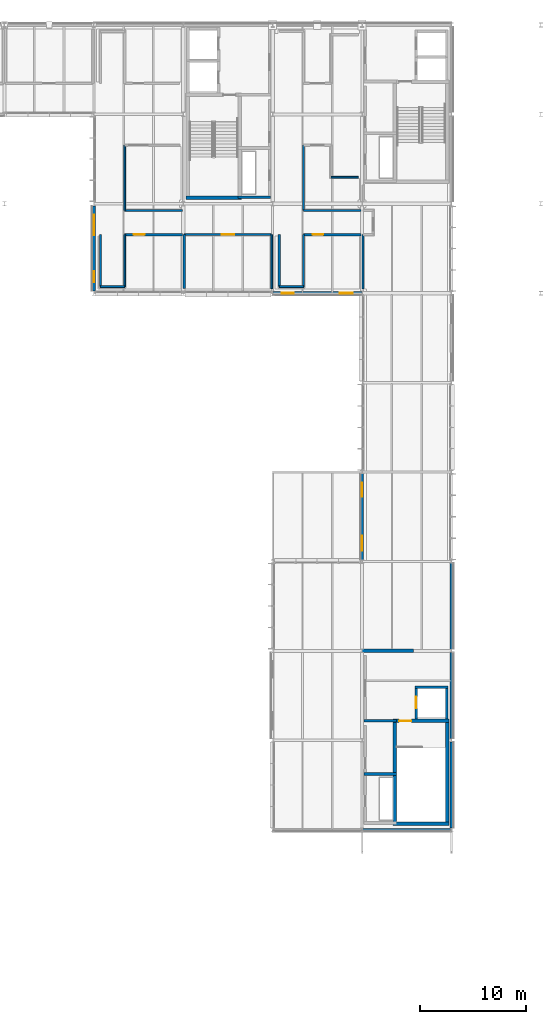
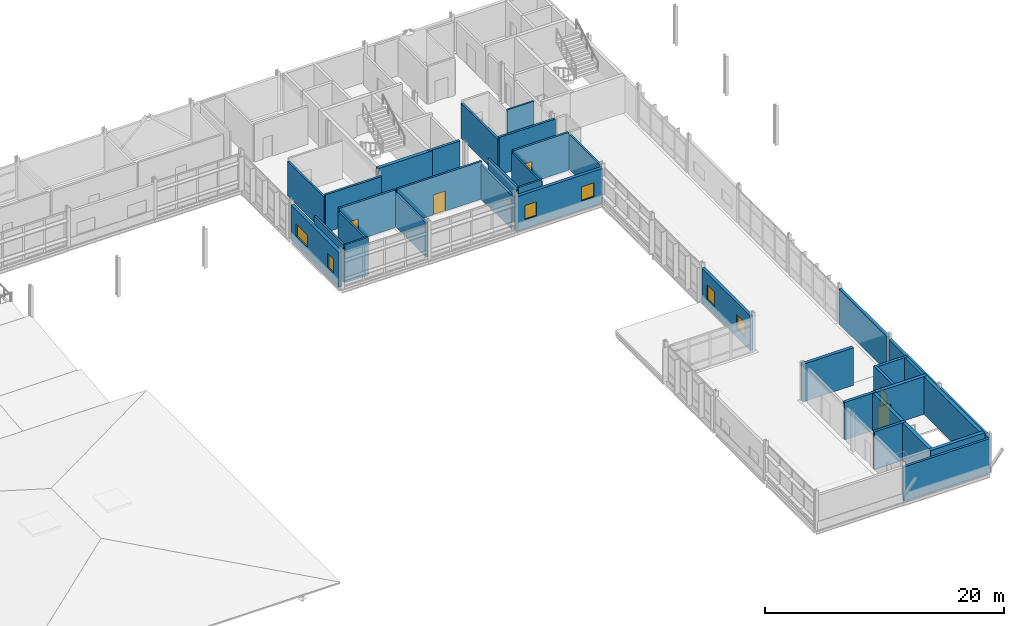
# One storey, part 54 of 66: 36 walls, 6 windows, 5 doors, 11 openings.
"""IFC4 building model written with IfcOpenShell, lengths in metres."""

from ifc_helpers import new_model, si_unit, direction, frame, frame_2d, origin, place, context, subcontext, project, spatial, rectangle, extrude, material, layer, layer_set, type_object, element, fill, save


model = new_model("IFC4")

# Units and contexts
model_context = context("Model", 3, precision=1e-05, world=origin(), true_north=direction((0.0, 1.0)))
body_context = subcontext(model_context, "Body", "Model", "MODEL_VIEW")
ifc_project = project(units=[si_unit("LENGTHUNIT", "METRE"), si_unit("AREAUNIT", "SQUARE_METRE"), si_unit("VOLUMEUNIT", "CUBIC_METRE"), si_unit("PLANEANGLEUNIT", "RADIAN"), si_unit("MASSUNIT", "GRAM", prefix="KILO")], contexts=[model_context])

# Site, building, storey
site_placement = place(None, origin())
site = spatial("IfcSite", under=ifc_project, at=site_placement, CompositionType="ELEMENT")
building_placement = place(site_placement, origin())
building = spatial("IfcBuilding", under=site, at=building_placement, Name="Mersafa Astral City Hall", CompositionType="ELEMENT")
storey_placement = place(building_placement, frame((0.0, 0.0, 22.050048828125)))
storey = spatial("IfcBuildingStorey", under=building, at=storey_placement, Name="L05", CompositionType="ELEMENT", Elevation=22.050048828125)

# Walls
ifc_material_1 = material(Name="Precast concrete C40/50 insulated terracotta spandrel", Category="masonry")
ifc_layer_1 = layer(ifc_material_1, 0.235107421875, Name="Precast concrete C40/50 insulated terracotta spandrel")
ifc_layer_set_1 = layer_set([ifc_layer_1], Name="Precast concrete C40/50 insulated terracotta spandrel — ENV-WAL-EXT-235")
wall_type_1 = type_object("IfcWallType", Name="ENV-WAL-EXT-235", PredefinedType="STANDARD", material=ifc_layer_set_1)
wall_1_placement = place(storey_placement, frame((168.008056640625, 50.39990234375, 0.0), z_axis=(0.0, 0.0, 1.0), x_axis=(1.0, 0.0, 0.0)))
element("IfcWall", 1, at=wall_1_placement, inside=storey, type_object=wall_type_1, Name="L05 Limestone-clad exterior wall 335", PredefinedType="STANDARD", context=body_context, shape_type="SweptSolid", body=[
    extrude(rectangle(XDim=8.384033203125, YDim=0.235107421875, at=frame_2d((4.19189453125, 0.0))), origin(), (0.0, 0.0, 1.0), 3.4970703125),
])
ifc_material_2 = material(Name="Precast concrete C40/50 insulated limestone wall", Category="masonry")
ifc_layer_2 = layer(ifc_material_2, 0.280029296875, Name="Precast concrete C40/50 insulated limestone wall")
ifc_layer_set_2 = layer_set([ifc_layer_2], Name="Precast concrete C40/50 insulated limestone wall — ENV-WAL-EXT-280")
wall_type_2 = type_object("IfcWallType", Name="ENV-WAL-EXT-280", PredefinedType="STANDARD", material=ifc_layer_set_2)
wall_2_placement = place(storey_placement, frame((176.39990234375, 67.345947265625, 0.0), z_axis=(0.0, 0.0, 1.0), x_axis=(0.0, 1.0, 0.0)))
element("IfcWall", 2, at=wall_2_placement, inside=storey, type_object=wall_type_2, Name="L05 Limestone-clad exterior wall 338", PredefinedType="STANDARD", context=body_context, shape_type="SweptSolid", body=[
    extrude(rectangle(XDim=8.108154296875, YDim=0.280029296875, at=frame_2d((4.05419921875, 0.0))), origin(), (0.0, 0.0, 1.0), 3.5869140625),
])

# Wall, openings, windows
wall_3_placement = place(storey_placement, frame((168.0, 83.85400390625, 0.0), z_axis=(0.0, 0.0, 1.0), x_axis=(0.0, -1.0, 0.0)))
wall_3 = element("IfcWall", 3, at=wall_3_placement, inside=storey, type_object=wall_type_2, Name="L05 Limestone-clad exterior wall 362", PredefinedType="STANDARD", context=body_context, shape_type="SweptSolid", body=[
    extrude(rectangle(XDim=8.10791015625, YDim=0.280029296875, at=frame_2d((4.053955078125, 0.0))), origin(), (0.0, 0.0, 1.0), 3.56201171875),
])
opening_1_placement = place(wall_3_placement, frame((0.85009765625, 0.0, 0.89990234375)))
opening_1 = element("IfcOpeningElement", 4, at=opening_1_placement, cuts=wall_3, Name="Opening W-24", PredefinedType="OPENING", context=body_context, shape_type="SweptSolid", body=[
    extrude(rectangle(XDim=1.320068359375, YDim=1.449951171875, at=frame_2d((0.66015625, 0.72509765625))), frame((0.0, 0.14990234375, 0.0), z_axis=(0.0, -1.0, 0.0), x_axis=(1.0, 0.0, 0.0)), (0.0, 0.0, 1.0), 0.300048828125),
])
opening_2_placement = place(wall_3_placement, frame((5.837890625, 0.0, 0.89990234375)))
opening_2 = element("IfcOpeningElement", 5, at=opening_2_placement, cuts=wall_3, Name="Opening W-25", PredefinedType="OPENING", context=body_context, shape_type="SweptSolid", body=[
    extrude(rectangle(XDim=1.419921875, YDim=1.449951171875, at=frame_2d((0.7099609375, 0.72509765625))), frame((0.0, 0.14990234375, 0.0), z_axis=(0.0, -1.0, 0.0), x_axis=(1.0, 0.0, 0.0)), (0.0, 0.0, 1.0), 0.300048828125),
])
ifc_material_3 = material(Name="Solar control low-e double glazing in bronze frame", Category="glass")
window_type_1 = type_object("IfcWindowType", Name="ENV-WIN-W-24", PartitioningType="SINGLE_PANEL", PredefinedType="WINDOW", material=ifc_material_3)
window_1_placement = place(opening_1_placement, origin())
window_1 = element("IfcWindow", 6, at=window_1_placement, inside=storey, type_object=window_type_1, Name="L05 Solar punched window 362-L", OverallHeight=1.449951171875, OverallWidth=1.320068359375, PartitioningType="SINGLE_PANEL", PredefinedType="WINDOW", context=body_context, shape_type="SweptSolid", body=[
    extrude(rectangle(XDim=1.320068359375, YDim=1.449951171875, at=frame_2d((0.66015625, 0.72509765625))), frame((0.0, 0.030029296875, 0.0), z_axis=(0.0, -1.0, 0.0), x_axis=(1.0, 0.0, 0.0)), (0.0, 0.0, 1.0), 0.06005859375),
])
fill(opening_1, window_1)
window_type_2 = type_object("IfcWindowType", Name="ENV-WIN-W-25", PartitioningType="SINGLE_PANEL", PredefinedType="WINDOW", material=ifc_material_3)
window_2_placement = place(opening_2_placement, origin())
window_2 = element("IfcWindow", 7, at=window_2_placement, inside=storey, type_object=window_type_2, Name="L05 Solar punched window 362-R", OverallHeight=1.449951171875, OverallWidth=1.419921875, PartitioningType="SINGLE_PANEL", PredefinedType="WINDOW", context=body_context, shape_type="SweptSolid", body=[
    extrude(rectangle(XDim=1.419921875, YDim=1.449951171875, at=frame_2d((0.7099609375, 0.72509765625))), frame((0.0, 0.030029296875, 0.0), z_axis=(0.0, -1.0, 0.0), x_axis=(1.0, 0.0, 0.0)), (0.0, 0.0, 1.0), 0.06005859375),
])
fill(opening_2, window_2)

# Wall
ifc_layer_3 = layer(ifc_material_2, 0.294921875, Name="Precast concrete C40/50 insulated limestone wall")
ifc_layer_set_3 = layer_set([ifc_layer_3], Name="Precast concrete C40/50 insulated limestone wall — ENV-WAL-EXT-295")
wall_type_3 = type_object("IfcWallType", Name="ENV-WAL-EXT-295", PredefinedType="STANDARD", material=ifc_layer_set_3)
wall_4_placement = place(storey_placement, frame((176.39990234375, 58.946044921875, 0.0), z_axis=(0.0, 0.0, 1.0), x_axis=(0.0, 1.0, 0.0)))
element("IfcWall", 8, at=wall_4_placement, inside=storey, type_object=wall_type_3, Name="L05 Limestone-clad exterior wall 337", PredefinedType="STANDARD", context=body_context, shape_type="SweptSolid", body=[
    extrude(rectangle(XDim=8.10791015625, YDim=0.294921875, at=frame_2d((4.053955078125, 0.0))), origin(), (0.0, 0.0, 1.0), 3.4970703125),
])

# Wall, openings, windows
wall_5_placement = place(storey_placement, frame((159.60791015625, 100.800048828125, 0.0), z_axis=(0.0, 0.0, 1.0), x_axis=(1.0, 0.0, 0.0)))
wall_5 = element("IfcWall", 9, at=wall_5_placement, inside=storey, type_object=wall_type_3, Name="L05 Limestone-clad exterior wall 361", PredefinedType="STANDARD", context=body_context, shape_type="SweptSolid", body=[
    extrude(rectangle(XDim=8.384033203125, YDim=0.294921875, at=frame_2d((4.19189453125, 0.0))), origin(), (0.0, 0.0, 1.0), 3.52685546875),
])
opening_3_placement = place(wall_5_placement, frame((0.85009765625, 0.0, 0.89990234375)))
opening_3 = element("IfcOpeningElement", 10, at=opening_3_placement, cuts=wall_5, Name="Opening W-22", PredefinedType="OPENING", context=body_context, shape_type="SweptSolid", body=[
    extrude(rectangle(XDim=1.1201171875, YDim=1.449951171875, at=frame_2d((0.56005859375, 0.72509765625))), frame((0.0, 0.157470703125, 0.0), z_axis=(0.0, -1.0, 0.0), x_axis=(1.0, 0.0, 0.0)), (0.0, 0.0, 1.0), 0.31494140625),
])
opening_4_placement = place(wall_5_placement, frame((6.31396484375, 0.0, 0.89990234375)))
opening_4 = element("IfcOpeningElement", 11, at=opening_4_placement, cuts=wall_5, Name="Opening W-23", PredefinedType="OPENING", context=body_context, shape_type="SweptSolid", body=[
    extrude(rectangle(XDim=1.219970703125, YDim=1.449951171875, at=frame_2d((0.60986328125, 0.72509765625))), frame((0.0, 0.157470703125, 0.0), z_axis=(0.0, -1.0, 0.0), x_axis=(1.0, 0.0, 0.0)), (0.0, 0.0, 1.0), 0.31494140625),
])
window_type_3 = type_object("IfcWindowType", Name="ENV-WIN-W-22", PartitioningType="SINGLE_PANEL", PredefinedType="WINDOW", material=ifc_material_3)
window_3_placement = place(opening_3_placement, origin())
window_3 = element("IfcWindow", 12, at=window_3_placement, inside=storey, type_object=window_type_3, Name="L05 Solar punched window 361-L", OverallHeight=1.449951171875, OverallWidth=1.1201171875, PartitioningType="SINGLE_PANEL", PredefinedType="WINDOW", context=body_context, shape_type="SweptSolid", body=[
    extrude(rectangle(XDim=1.1201171875, YDim=1.449951171875, at=frame_2d((0.56005859375, 0.72509765625))), frame((0.0, 0.030029296875, 0.0), z_axis=(0.0, -1.0, 0.0), x_axis=(1.0, 0.0, 0.0)), (0.0, 0.0, 1.0), 0.06005859375),
])
fill(opening_3, window_3)
window_type_4 = type_object("IfcWindowType", Name="ENV-WIN-W-23", PartitioningType="SINGLE_PANEL", PredefinedType="WINDOW", material=ifc_material_3)
window_4_placement = place(opening_4_placement, origin())
window_4 = element("IfcWindow", 13, at=window_4_placement, inside=storey, type_object=window_type_4, Name="L05 Solar punched window 361-R", OverallHeight=1.449951171875, OverallWidth=1.219970703125, PartitioningType="SINGLE_PANEL", PredefinedType="WINDOW", context=body_context, shape_type="SweptSolid", body=[
    extrude(rectangle(XDim=1.219970703125, YDim=1.449951171875, at=frame_2d((0.60986328125, 0.72509765625))), frame((0.0, 0.030029296875, 0.0), z_axis=(0.0, -1.0, 0.0), x_axis=(1.0, 0.0, 0.0)), (0.0, 0.0, 1.0), 0.06005859375),
])
fill(opening_4, window_4)

# Wall
ifc_layer_4 = layer(ifc_material_2, 0.31005859375, Name="Precast concrete C40/50 insulated limestone wall")
ifc_layer_set_4 = layer_set([ifc_layer_4], Name="Precast concrete C40/50 insulated limestone wall — ENV-WAL-EXT-310")
wall_type_4 = type_object("IfcWallType", Name="ENV-WAL-EXT-310", PredefinedType="STANDARD", material=ifc_layer_set_4)
wall_6_placement = place(storey_placement, frame((176.39990234375, 50.5458984375, 0.0), z_axis=(0.0, 0.0, 1.0), x_axis=(0.0, 1.0, 0.0)))
element("IfcWall", 14, at=wall_6_placement, inside=storey, type_object=wall_type_4, Name="L05 Limestone-clad exterior wall 336", PredefinedType="STANDARD", context=body_context, shape_type="SweptSolid", body=[
    extrude(rectangle(XDim=8.108154296875, YDim=0.31005859375, at=frame_2d((4.05419921875, 0.0))), origin(), (0.0, 0.0, 1.0), 3.5869140625),
])

# Wall, openings, windows
wall_7_placement = place(storey_placement, frame((142.800048828125, 109.00390625, 0.0), z_axis=(0.0, 0.0, 1.0), x_axis=(0.0, -1.0, 0.0)))
wall_7 = element("IfcWall", 15, at=wall_7_placement, inside=storey, type_object=wall_type_4, Name="L05 Limestone-clad exterior wall 360", PredefinedType="STANDARD", context=body_context, shape_type="SweptSolid", body=[
    extrude(rectangle(XDim=8.0078125, YDim=0.31005859375, at=frame_2d((4.00390625, 0.0))), origin(), (0.0, 0.0, 1.0), 3.5869140625),
])
opening_5_placement = place(wall_7_placement, frame((0.85009765625, 0.0, 0.89990234375)))
opening_5 = element("IfcOpeningElement", 16, at=opening_5_placement, cuts=wall_7, Name="Opening W-20", PredefinedType="OPENING", context=body_context, shape_type="SweptSolid", body=[
    extrude(rectangle(XDim=1.919921875, YDim=1.25, at=frame_2d((0.9599609375, 0.625))), frame((0.0, 0.1650390625, 0.0), z_axis=(0.0, -1.0, 0.0), x_axis=(1.0, 0.0, 0.0)), (0.0, 0.0, 1.0), 0.330078125),
])
opening_6_placement = place(wall_7_placement, frame((6.137939453125, 0.0, 0.89990234375)))
opening_6 = element("IfcOpeningElement", 17, at=opening_6_placement, cuts=wall_7, Name="Opening W-21", PredefinedType="OPENING", context=body_context, shape_type="SweptSolid", body=[
    extrude(rectangle(XDim=1.02001953125, YDim=1.449951171875, at=frame_2d((0.510009765625, 0.72509765625))), frame((0.0, 0.1650390625, 0.0), z_axis=(0.0, -1.0, 0.0), x_axis=(1.0, 0.0, 0.0)), (0.0, 0.0, 1.0), 0.330078125),
])
window_type_5 = type_object("IfcWindowType", Name="ENV-WIN-W-20", PartitioningType="SINGLE_PANEL", PredefinedType="WINDOW", material=ifc_material_3)
window_5_placement = place(opening_5_placement, origin())
window_5 = element("IfcWindow", 18, at=window_5_placement, inside=storey, type_object=window_type_5, Name="L05 Solar punched window 360-L", OverallHeight=1.25, OverallWidth=1.919921875, PartitioningType="SINGLE_PANEL", PredefinedType="WINDOW", context=body_context, shape_type="SweptSolid", body=[
    extrude(rectangle(XDim=1.919921875, YDim=1.25, at=frame_2d((0.9599609375, 0.625))), frame((0.0, 0.030029296875, 0.0), z_axis=(0.0, -1.0, 0.0), x_axis=(1.0, 0.0, 0.0)), (0.0, 0.0, 1.0), 0.06005859375),
])
fill(opening_5, window_5)
window_type_6 = type_object("IfcWindowType", Name="ENV-WIN-W-21", PartitioningType="SINGLE_PANEL", PredefinedType="WINDOW", material=ifc_material_3)
window_6_placement = place(opening_6_placement, origin())
window_6 = element("IfcWindow", 19, at=window_6_placement, inside=storey, type_object=window_type_6, Name="L05 Solar punched window 360-R", OverallHeight=1.449951171875, OverallWidth=1.02001953125, PartitioningType="SINGLE_PANEL", PredefinedType="WINDOW", context=body_context, shape_type="SweptSolid", body=[
    extrude(rectangle(XDim=1.02001953125, YDim=1.449951171875, at=frame_2d((0.510009765625, 0.72509765625))), frame((0.0, 0.030029296875, 0.0), z_axis=(0.0, -1.0, 0.0), x_axis=(1.0, 0.0, 0.0)), (0.0, 0.0, 1.0), 0.06005859375),
])
fill(opening_6, window_6)

# Walls
ifc_material_4 = material(Name="Concrete C40/50", Category="concrete")
ifc_layer_5 = layer(ifc_material_4, 0.260009765625, Name="Concrete C40/50")
ifc_layer_set_5 = layer_set([ifc_layer_5], Name="Concrete C40/50 — INT-WAL-CORE-260")
wall_type_5 = type_object("IfcWallType", Name="INT-WAL-CORE-260", PredefinedType="SHEAR", material=ifc_layer_set_5)
wall_8_placement = place(storey_placement, frame((156.364990234375, 109.820068359375, 0.0), z_axis=(0.0, 0.0, 1.0), x_axis=(1.0, 0.0, 0.0)))
element("IfcWall", 20, at=wall_8_placement, inside=storey, type_object=wall_type_5, Name="L05 Core K1 riser south wall", PredefinedType="SHEAR", context=body_context, shape_type="SweptSolid", body=[
    extrude(rectangle(XDim=3.034912109375, YDim=0.260009765625, at=frame_2d((1.517578125, 0.0))), origin(), (0.0, 0.0, 1.0), 3.849853515625),
])
wall_9_placement = place(storey_placement, frame((172.955078125, 63.784912109375, 0.0), z_axis=(0.0, 0.0, 1.0), x_axis=(1.0, 0.0, 0.0)))
element("IfcWall", 21, at=wall_9_placement, inside=storey, type_object=wall_type_5, Name="L05 Lift LF6 north shaft wall", PredefinedType="SHEAR", context=body_context, shape_type="SweptSolid", body=[
    extrude(rectangle(XDim=3.1298828125, YDim=0.260009765625, at=frame_2d((1.56494140625, 0.0))), origin(), (0.0, 0.0, 1.0), 3.849853515625),
])
wall_10_placement = place(storey_placement, frame((175.955078125, 60.797119140625, 0.0), z_axis=(0.0, 0.0, 1.0), x_axis=(0.0, 1.0, 0.0)))
element("IfcWall", 22, at=wall_10_placement, inside=storey, type_object=wall_type_5, Name="L05 Lift LF6 back shaft wall", PredefinedType="SHEAR", context=body_context, shape_type="SweptSolid", body=[
    extrude(rectangle(XDim=3.117919921875, YDim=0.260009765625, at=frame_2d((1.55908203125, 0.0))), origin(), (0.0, 0.0, 1.0), 3.849853515625),
])

# Wall, opening, door
wall_11_placement = place(storey_placement, frame((173.0849609375, 60.797119140625, 0.0), z_axis=(0.0, 0.0, 1.0), x_axis=(0.0, 1.0, 0.0)))
wall_11 = element("IfcWall", 23, at=wall_11_placement, inside=storey, type_object=wall_type_5, Name="L05 Lift LF6 front shaft wall", PredefinedType="SHEAR", context=body_context, shape_type="SweptSolid", body=[
    extrude(rectangle(XDim=3.117919921875, YDim=0.260009765625, at=frame_2d((1.55908203125, 0.0))), origin(), (0.0, 0.0, 1.0), 3.849853515625),
])
opening_7_placement = place(wall_11_placement, frame((1.009033203125, 0.0, 0.0)))
opening_7 = element("IfcOpeningElement", 24, at=opening_7_placement, cuts=wall_11, Name="Opening LD-1", PredefinedType="OPENING", context=body_context, shape_type="SweptSolid", body=[
    extrude(rectangle(XDim=1.10009765625, YDim=2.14990234375, at=frame_2d((0.550048828125, 1.074951171875))), frame((0.0, 0.139892578125, 0.0), z_axis=(0.0, -1.0, 0.0), x_axis=(1.0, 0.0, 0.0)), (0.0, 0.0, 1.0), 0.280029296875),
])
ifc_material_5 = material(Name="Stainless steel sliding lift landing door", Category="steel")
door_type_1 = type_object("IfcDoorType", Name="INT-DR-LIFT-LD1", OperationType="NOTDEFINED", PredefinedType="DOOR", material=ifc_material_5)
door_1_placement = place(opening_7_placement, origin())
door_1 = element("IfcDoor", 25, at=door_1_placement, inside=storey, type_object=door_type_1, Name="Elevator LF6 Sliding Landing Door L05", OperationType="DOUBLE_DOOR_SLIDING", OverallHeight=2.14990234375, OverallWidth=1.10009765625, PredefinedType="DOOR", context=body_context, shape_type="SweptSolid", body=[
    extrude(rectangle(XDim=1.10009765625, YDim=2.14990234375, at=frame_2d((0.550048828125, 1.074951171875))), frame((0.0, 0.02490234375, 0.0), z_axis=(0.0, -1.0, 0.0), x_axis=(1.0, 0.0, 0.0)), (0.0, 0.0, 1.0), 0.050048828125),
])
fill(opening_7, door_1)

# Walls
for number, where, z_axis, x_axis, name in (
    (26, (168.199951171875, 55.635009765625, 0.0), (0.0, 0.0, 1.0), (1.0, 0.0, 0.0), "L05 Core K4 riser-restroom divider wall"),
    (27, (168.199951171875, 60.635009765625, 0.0), (0.0, 0.0, 1.0), (1.0, 0.0, 0.0), "L05 Core K4 restroom-lobby divider wall"),
):
    element("IfcWall", number, at=place(storey_placement, frame(where, z_axis=z_axis, x_axis=x_axis)), inside=storey, type_object=wall_type_5, Name=name, PredefinedType="SHEAR", context=body_context, shape_type="SweptSolid", body=[
        extrude(rectangle(XDim=3.03515625, YDim=0.260009765625, at=frame_2d((1.517578125, 0.0))), origin(), (0.0, 0.0, 1.0), 3.849853515625),
    ])
ifc_layer_6 = layer(ifc_material_4, 0.300048828125, Name="Concrete C40/50")
ifc_layer_set_6 = layer_set([ifc_layer_6], Name="Concrete C40/50 — INT-WAL-CORE-300")
wall_type_6 = type_object("IfcWallType", Name="INT-WAL-CORE-300", PredefinedType="SHEAR", material=ifc_layer_set_6)
wall_12_placement = place(storey_placement, frame((167.97998046875, 67.2099609375, 0.0), z_axis=(0.0, 0.0, 1.0), x_axis=(1.0, 0.0, 0.0)))
element("IfcWall", 28, at=wall_12_placement, inside=storey, type_object=wall_type_6, Name="L05 Core K4 lobby north shear wall", PredefinedType="SHEAR", context=body_context, shape_type="SweptSolid", body=[
    extrude(rectangle(XDim=4.8701171875, YDim=0.300048828125, at=frame_2d((2.43505859375, 0.0))), origin(), (0.0, 0.0, 1.0), 3.849853515625),
])
ifc_layer_7 = layer(ifc_material_4, 0.340087890625, Name="Concrete C40/50")
ifc_layer_set_7 = layer_set([ifc_layer_7], Name="Concrete C40/50 — INT-WAL-CORE-340")
wall_type_7 = type_object("IfcWallType", Name="INT-WAL-CORE-340", PredefinedType="SHEAR", material=ifc_layer_set_7)
wall_13_placement = place(storey_placement, frame((151.43505859375, 109.77490234375, 0.0), z_axis=(0.0, 0.0, 1.0), x_axis=(1.0, 0.0, 0.0)))
element("IfcWall", 29, at=wall_13_placement, inside=storey, type_object=wall_type_7, Name="L05 Core K1 stair south shear wall", PredefinedType="SHEAR", context=body_context, shape_type="SweptSolid", body=[
    extrude(rectangle(XDim=5.25, YDim=0.340087890625, at=frame_2d((2.625, 0.0))), origin(), (0.0, 0.0, 1.0), 3.849853515625),
])
for number, where, z_axis, x_axis, name in (
    (30, (171.0849609375, 50.804931640625, 0.0), (0.0, 0.0, 1.0), (0.0, 1.0, 0.0), "L05 Core K4 stair west shear wall"),
    (31, (175.9951171875, 50.804931640625, 0.0), (0.0, 0.0, 1.0), (0.0, 1.0, 0.0), "L05 Core K4 stair east shear wall"),
):
    element("IfcWall", number, at=place(storey_placement, frame(where, z_axis=z_axis, x_axis=x_axis)), inside=storey, type_object=wall_type_7, Name=name, PredefinedType="SHEAR", context=body_context, shape_type="SweptSolid", body=[
        extrude(rectangle(XDim=9.989990234375, YDim=0.340087890625, at=frame_2d((4.9951171875, 0.0))), origin(), (0.0, 0.0, 1.0), 3.849853515625),
    ])
wall_14_placement = place(storey_placement, frame((170.9150390625, 50.97509765625, 0.0), z_axis=(0.0, 0.0, 1.0), x_axis=(1.0, 0.0, 0.0)))
element("IfcWall", 32, at=wall_14_placement, inside=storey, type_object=wall_type_7, Name="L05 Core K4 stair south shear wall", PredefinedType="SHEAR", context=body_context, shape_type="SweptSolid", body=[
    extrude(rectangle(XDim=5.25, YDim=0.340087890625, at=frame_2d((2.625, 0.0))), origin(), (0.0, 0.0, 1.0), 3.849853515625),
])

# Wall, opening, door
wall_15_placement = place(storey_placement, frame((170.9150390625, 60.625, 0.0), z_axis=(0.0, 0.0, 1.0), x_axis=(1.0, 0.0, 0.0)))
wall_15 = element("IfcWall", 33, at=wall_15_placement, inside=storey, type_object=wall_type_7, Name="L05 Core K4 stair-lobby fire wall", PredefinedType="SHEAR", context=body_context, shape_type="SweptSolid", body=[
    extrude(rectangle(XDim=5.25, YDim=0.340087890625, at=frame_2d((2.625, 0.0))), origin(), (0.0, 0.0, 1.0), 3.849853515625),
])
opening_8_placement = place(wall_15_placement, frame((0.56494140625, 0.0, 0.0)))
opening_8 = element("IfcOpeningElement", 34, at=opening_8_placement, cuts=wall_15, Name="Opening CD-1", PredefinedType="OPENING", context=body_context, shape_type="SweptSolid", body=[
    extrude(rectangle(XDim=1.14990234375, YDim=2.14990234375, at=frame_2d((0.574951171875, 1.074951171875))), frame((0.0, 0.179931640625, 0.0), z_axis=(0.0, -1.0, 0.0), x_axis=(1.0, 0.0, 0.0)), (0.0, 0.0, 1.0), 0.360107421875),
])
ifc_material_6 = material(Name="Fire-rated steel stair door", Category="steel")
door_type_2 = type_object("IfcDoorType", Name="INT-DR-STAIR-FD90-1150", OperationType="NOTDEFINED", PredefinedType="DOOR", material=ifc_material_6)
door_2_placement = place(opening_8_placement, origin())
door_2 = element("IfcDoor", 35, at=door_2_placement, inside=storey, type_object=door_type_2, Name="L05 Protected Stair ST4 Door", OperationType="SINGLE_SWING_LEFT", OverallHeight=2.14990234375, OverallWidth=1.14990234375, PredefinedType="DOOR", context=body_context, shape_type="SweptSolid", body=[
    extrude(rectangle(XDim=1.14990234375, YDim=2.14990234375, at=frame_2d((0.574951171875, 1.074951171875))), frame((0.0, 0.02490234375, 0.0), z_axis=(0.0, -1.0, 0.0), x_axis=(1.0, 0.0, 0.0)), (0.0, 0.0, 1.0), 0.050048828125),
])
fill(opening_8, door_2)

# Walls
ifc_material_7 = material(Name="Fire-rated gypsum stud partition", Category="gypsum")
ifc_layer_8 = layer(ifc_material_7, 0.1650390625, Name="Fire-rated gypsum stud partition")
ifc_layer_set_8 = layer_set([ifc_layer_8], Name="Fire-rated gypsum stud partition — INT-WAL-PART-EI60-165")
wall_type_8 = type_object("IfcWallType", Name="INT-WAL-PART-EI60-165", PredefinedType="STANDARD", material=ifc_layer_set_8)
wall_16_placement = place(storey_placement, frame((162.5, 101.419921875, -0.004150390625), z_axis=(0.0, 0.0, 1.0), x_axis=(0.0, 1.0, 0.0)))
element("IfcWall", 36, at=wall_16_placement, inside=storey, type_object=wall_type_8, Name="L05 Interior partition wall 783", PredefinedType="STANDARD", context=body_context, shape_type="SweptSolid", body=[
    extrude(rectangle(XDim=4.880126953125, YDim=0.1650390625, at=frame_2d((2.43994140625, 0.0))), origin(), (0.0, 0.0, 1.0), 3.62109375),
])
wall_17_placement = place(storey_placement, frame((145.699951171875, 101.419921875, -0.004150390625), z_axis=(0.0, 0.0, 1.0), x_axis=(0.0, 1.0, 0.0)))
element("IfcWall", 37, at=wall_17_placement, inside=storey, type_object=wall_type_8, Name="L05 Interior partition wall 787", PredefinedType="STANDARD", context=body_context, shape_type="SweptSolid", body=[
    extrude(rectangle(XDim=4.880126953125, YDim=0.1650390625, at=frame_2d((2.43994140625, 0.0))), origin(), (0.0, 0.0, 1.0), 3.56103515625),
])
wall_18_placement = place(storey_placement, frame((165.10009765625, 111.699951171875, -0.004150390625), z_axis=(0.0, 0.0, 1.0), x_axis=(1.0, 0.0, 0.0)))
element("IfcWall", 38, at=wall_18_placement, inside=storey, type_object=wall_type_8, Name="L05 Interior partition wall 795", PredefinedType="STANDARD", context=body_context, shape_type="SweptSolid", body=[
    extrude(rectangle(XDim=2.559814453125, YDim=0.1650390625, at=frame_2d((1.27978515625, 0.0))), origin(), (0.0, 0.0, 1.0), 3.85400390625),
])
ifc_material_8 = material(Name="Acoustic twin-stud gypsum partition", Category="gypsum")
ifc_layer_9 = layer(ifc_material_8, 0.179931640625, Name="Acoustic twin-stud gypsum partition")
ifc_layer_set_9 = layer_set([ifc_layer_9], Name="Acoustic twin-stud gypsum partition — INT-WAL-PART-EI60-180")
wall_type_9 = type_object("IfcWallType", Name="INT-WAL-PART-EI60-180", PredefinedType="STANDARD", material=ifc_layer_set_9)
wall_19_placement = place(storey_placement, frame((159.510009765625, 106.300048828125, -0.004150390625), z_axis=(0.0, 0.0, 1.0), x_axis=(0.0, -1.0, 0.0)))
element("IfcWall", 39, at=wall_19_placement, inside=storey, type_object=wall_type_9, Name="L05 Interior partition wall 762", PredefinedType="STANDARD", context=body_context, shape_type="SweptSolid", body=[
    extrude(rectangle(XDim=5.080078125, YDim=0.179931640625, at=frame_2d((2.5400390625, 0.0))), origin(), (0.0, 0.0, 1.0), 3.510986328125),
])
wall_20_placement = place(storey_placement, frame((145.699951171875, 108.580078125, -0.004150390625), z_axis=(0.0, 0.0, 1.0), x_axis=(0.0, 1.0, 0.0)))
element("IfcWall", 40, at=wall_20_placement, inside=storey, type_object=wall_type_9, Name="L05 Interior partition wall 774", PredefinedType="STANDARD", context=body_context, shape_type="SweptSolid", body=[
    extrude(rectangle(XDim=6.119873046875, YDim=0.179931640625, at=frame_2d((3.06005859375, 0.0))), origin(), (0.0, 0.0, 1.0), 3.56103515625),
])
for number, where, z_axis, x_axis, name in (
    (41, (160.219970703125, 101.419921875, -0.004150390625), (0.0, 0.0, 1.0), (1.0, 0.0, 0.0), "L05 Interior partition wall 782"),
    (42, (143.419921875, 101.419921875, -0.004150390625), (0.0, 0.0, 1.0), (1.0, 0.0, 0.0), "L05 Interior partition wall 786"),
):
    element("IfcWall", number, at=place(storey_placement, frame(where, z_axis=z_axis, x_axis=x_axis)), inside=storey, type_object=wall_type_9, Name=name, PredefinedType="STANDARD", context=body_context, shape_type="SweptSolid", body=[
        extrude(rectangle(XDim=2.280029296875, YDim=0.179931640625, at=frame_2d((1.14013671875, 0.0))), origin(), (0.0, 0.0, 1.0), 3.85400390625),
    ])
ifc_layer_10 = layer(ifc_material_8, 0.195068359375, Name="Acoustic twin-stud gypsum partition")
ifc_layer_set_10 = layer_set([ifc_layer_10], Name="Acoustic twin-stud gypsum partition — INT-WAL-PART-EI60-195")
wall_type_10 = type_object("IfcWallType", Name="INT-WAL-PART-EI60-195", PredefinedType="STANDARD", material=ifc_layer_set_10)
wall_21_placement = place(storey_placement, frame((168.090087890625, 101.2099609375, -0.004150390625), z_axis=(0.0, 0.0, 1.0), x_axis=(0.0, 1.0, 0.0)))
element("IfcWall", 43, at=wall_21_placement, inside=storey, type_object=wall_type_10, Name="L05 Interior partition wall 737", PredefinedType="STANDARD", context=body_context, shape_type="SweptSolid", body=[
    extrude(rectangle(XDim=5.090087890625, YDim=0.195068359375, at=frame_2d((2.544921875, 0.0))), origin(), (0.0, 0.0, 1.0), 3.551025390625),
])

# Wall, opening, door
wall_22_placement = place(storey_placement, frame((151.2900390625, 106.300048828125, -0.004150390625), z_axis=(0.0, 0.0, 1.0), x_axis=(1.0, 0.0, 0.0)))
wall_22 = element("IfcWall", 44, at=wall_22_placement, inside=storey, type_object=wall_type_10, Name="L05 Interior partition wall 761", PredefinedType="STANDARD", context=body_context, shape_type="SweptSolid", body=[
    extrude(rectangle(XDim=8.219970703125, YDim=0.195068359375, at=frame_2d((4.10986328125, 0.0))), origin(), (0.0, 0.0, 1.0), 3.85400390625),
])
opening_9_placement = place(wall_22_placement, frame((3.52001953125, 0.0, 0.0)))
opening_9 = element("IfcOpeningElement", 45, at=opening_9_placement, cuts=wall_22, Name="Opening D-05", PredefinedType="OPENING", context=body_context, shape_type="SweptSolid", body=[
    extrude(rectangle(XDim=1.179931640625, YDim=2.06005859375, at=frame_2d((0.58984375, 1.030029296875))), frame((0.0, 0.107421875, 0.0), z_axis=(0.0, -1.0, 0.0), x_axis=(1.0, 0.0, 0.0)), (0.0, 0.0, 1.0), 0.215087890625),
])
ifc_material_9 = material(Name="Cedar veneered acoustic fire-rated timber door", Category="wood")
door_type_3 = type_object("IfcDoorType", Name="INT-DR-RM-D-05", OperationType="NOTDEFINED", PredefinedType="DOOR", material=ifc_material_9)
door_3_placement = place(opening_9_placement, origin())
door_3 = element("IfcDoor", 46, at=door_3_placement, inside=storey, type_object=door_type_3, Name="L05 Municipal Policy Research Studio L05-10 Entrance Door", OperationType="SINGLE_SWING_LEFT", OverallHeight=2.06005859375, OverallWidth=1.179931640625, PredefinedType="DOOR", context=body_context, shape_type="SweptSolid", body=[
    extrude(rectangle(XDim=1.179931640625, YDim=2.06005859375, at=frame_2d((0.58984375, 1.030029296875))), frame((0.0, 0.02490234375, 0.0), z_axis=(0.0, -1.0, 0.0), x_axis=(1.0, 0.0, 0.0)), (0.0, 0.0, 1.0), 0.050048828125),
])
fill(opening_9, door_3)

# Walls
for number, where, z_axis, x_axis, name in (
    (47, (160.219970703125, 106.300048828125, -0.004150390625), (0.0, 0.0, 1.0), (0.0, -1.0, 0.0), "L05 Interior partition wall 781"),
    (48, (143.419921875, 106.300048828125, -0.004150390625), (0.0, 0.0, 1.0), (0.0, -1.0, 0.0), "L05 Interior partition wall 785"),
):
    element("IfcWall", number, at=place(storey_placement, frame(where, z_axis=z_axis, x_axis=x_axis)), inside=storey, type_object=wall_type_10, Name=name, PredefinedType="STANDARD", context=body_context, shape_type="SweptSolid", body=[
        extrude(rectangle(XDim=4.880126953125, YDim=0.195068359375, at=frame_2d((2.43994140625, 0.0))), origin(), (0.0, 0.0, 1.0), 3.85400390625),
    ])
ifc_material_10 = material(Name="Autoclaved aerated concrete blockwork plastered", Category="masonry")
ifc_layer_11 = layer(ifc_material_10, 0.2099609375, Name="Autoclaved aerated concrete blockwork plastered")
ifc_layer_set_11 = layer_set([ifc_layer_11], Name="Autoclaved aerated concrete blockwork plastered — INT-WAL-PART-EI60-210")
wall_type_11 = type_object("IfcWallType", Name="INT-WAL-PART-EI60-210", PredefinedType="STANDARD", material=ifc_layer_set_11)
wall_23_placement = place(storey_placement, frame((151.2900390625, 101.219970703125, -0.004150390625), z_axis=(0.0, 0.0, 1.0), x_axis=(0.0, 1.0, 0.0)))
element("IfcWall", 49, at=wall_23_placement, inside=storey, type_object=wall_type_11, Name="L05 Interior partition wall 760", PredefinedType="STANDARD", context=body_context, shape_type="SweptSolid", body=[
    extrude(rectangle(XDim=5.080078125, YDim=0.2099609375, at=frame_2d((2.5400390625, 0.0))), origin(), (0.0, 0.0, 1.0), 3.461181640625),
])
wall_24_placement = place(storey_placement, frame((151.110107421875, 108.580078125, -0.004150390625), z_axis=(0.0, 0.0, 1.0), x_axis=(-1.0, 0.0, 0.0)))
element("IfcWall", 50, at=wall_24_placement, inside=storey, type_object=wall_type_11, Name="L05 Interior partition wall 776", PredefinedType="STANDARD", context=body_context, shape_type="SweptSolid", body=[
    extrude(rectangle(XDim=5.41015625, YDim=0.2099609375, at=frame_2d((2.705078125, 0.0))), origin(), (0.0, 0.0, 1.0), 3.85400390625),
])

# Wall, opening, door
wall_25_placement = place(storey_placement, frame((162.5, 106.300048828125, -0.004150390625), z_axis=(0.0, 0.0, 1.0), x_axis=(1.0, 0.0, 0.0)))
wall_25 = element("IfcWall", 51, at=wall_25_placement, inside=storey, type_object=wall_type_11, Name="L05 Interior partition wall 784", PredefinedType="STANDARD", context=body_context, shape_type="SweptSolid", body=[
    extrude(rectangle(XDim=5.409912109375, YDim=0.2099609375, at=frame_2d((2.705078125, 0.0))), origin(), (0.0, 0.0, 1.0), 3.85400390625),
])
opening_10_placement = place(wall_25_placement, frame((0.862548828125, 0.0, 0.0)))
opening_10 = element("IfcOpeningElement", 52, at=opening_10_placement, cuts=wall_25, Name="Opening D-11", PredefinedType="OPENING", context=body_context, shape_type="SweptSolid", body=[
    extrude(rectangle(XDim=0.97998046875, YDim=2.139892578125, at=frame_2d((0.489990234375, 1.06982421875))), frame((0.0, 0.114990234375, 0.0), z_axis=(0.0, -1.0, 0.0), x_axis=(1.0, 0.0, 0.0)), (0.0, 0.0, 1.0), 0.22998046875),
])
door_type_4 = type_object("IfcDoorType", Name="INT-DR-RM-D-11", OperationType="NOTDEFINED", PredefinedType="DOOR", material=ifc_material_9)
door_4_placement = place(opening_10_placement, origin())
door_4 = element("IfcDoor", 53, at=door_4_placement, inside=storey, type_object=door_type_4, Name="L05 Deputy Mayor Executive Suite L05-16 Entrance Door", OperationType="SINGLE_SWING_LEFT", OverallHeight=2.139892578125, OverallWidth=0.97998046875, PredefinedType="DOOR", context=body_context, shape_type="SweptSolid", body=[
    extrude(rectangle(XDim=0.97998046875, YDim=2.139892578125, at=frame_2d((0.489990234375, 1.06982421875))), frame((0.0, 0.02490234375, 0.0), z_axis=(0.0, -1.0, 0.0), x_axis=(1.0, 0.0, 0.0)), (0.0, 0.0, 1.0), 0.050048828125),
])
fill(opening_10, door_4)

wall_26_placement = place(storey_placement, frame((145.699951171875, 106.300048828125, -0.004150390625), z_axis=(0.0, 0.0, 1.0), x_axis=(1.0, 0.0, 0.0)))
wall_26 = element("IfcWall", 54, at=wall_26_placement, inside=storey, type_object=wall_type_11, Name="L05 Interior partition wall 788", PredefinedType="STANDARD", context=body_context, shape_type="SweptSolid", body=[
    extrude(rectangle(XDim=5.41015625, YDim=0.2099609375, at=frame_2d((2.705078125, 0.0))), origin(), (0.0, 0.0, 1.0), 3.85400390625),
])
opening_11_placement = place(wall_26_placement, frame((0.83251953125, 0.0, 0.0)))
opening_11 = element("IfcOpeningElement", 55, at=opening_11_placement, cuts=wall_26, Name="Opening D-12", PredefinedType="OPENING", context=body_context, shape_type="SweptSolid", body=[
    extrude(rectangle(XDim=1.0400390625, YDim=2.139892578125, at=frame_2d((0.52001953125, 1.06982421875))), frame((0.0, 0.114990234375, 0.0), z_axis=(0.0, -1.0, 0.0), x_axis=(1.0, 0.0, 0.0)), (0.0, 0.0, 1.0), 0.22998046875),
])
door_type_5 = type_object("IfcDoorType", Name="INT-DR-RM-D-12", OperationType="NOTDEFINED", PredefinedType="DOOR", material=ifc_material_9)
door_5_placement = place(opening_11_placement, origin())
door_5 = element("IfcDoor", 56, at=door_5_placement, inside=storey, type_object=door_type_5, Name="L05 Municipal Policy Research Studio L05-17 Entrance Door", OperationType="SINGLE_SWING_RIGHT", OverallHeight=2.139892578125, OverallWidth=1.0400390625, PredefinedType="DOOR", context=body_context, shape_type="SweptSolid", body=[
    extrude(rectangle(XDim=1.0400390625, YDim=2.139892578125, at=frame_2d((0.52001953125, 1.06982421875))), frame((0.0, 0.02490234375, 0.0), z_axis=(0.0, -1.0, 0.0), x_axis=(1.0, 0.0, 0.0)), (0.0, 0.0, 1.0), 0.050048828125),
])
fill(opening_11, door_5)

# Walls
wall_27_placement = place(storey_placement, frame((162.5, 108.580078125, -0.004150390625), z_axis=(0.0, 0.0, 1.0), x_axis=(0.0, 1.0, 0.0)))
element("IfcWall", 57, at=wall_27_placement, inside=storey, type_object=wall_type_11, Name="L05 Interior partition wall 792", PredefinedType="STANDARD", context=body_context, shape_type="SweptSolid", body=[
    extrude(rectangle(XDim=6.119873046875, YDim=0.2099609375, at=frame_2d((3.06005859375, 0.0))), origin(), (0.0, 0.0, 1.0), 3.62109375),
])
wall_28_placement = place(storey_placement, frame((167.909912109375, 108.580078125, -0.004150390625), z_axis=(0.0, 0.0, 1.0), x_axis=(-1.0, 0.0, 0.0)))
element("IfcWall", 58, at=wall_28_placement, inside=storey, type_object=wall_type_11, Name="L05 Interior partition wall 796", PredefinedType="STANDARD", context=body_context, shape_type="SweptSolid", body=[
    extrude(rectangle(XDim=5.409912109375, YDim=0.2099609375, at=frame_2d((2.705078125, 0.0))), origin(), (0.0, 0.0, 1.0), 3.85400390625),
])

save(model, "model.ifc")
